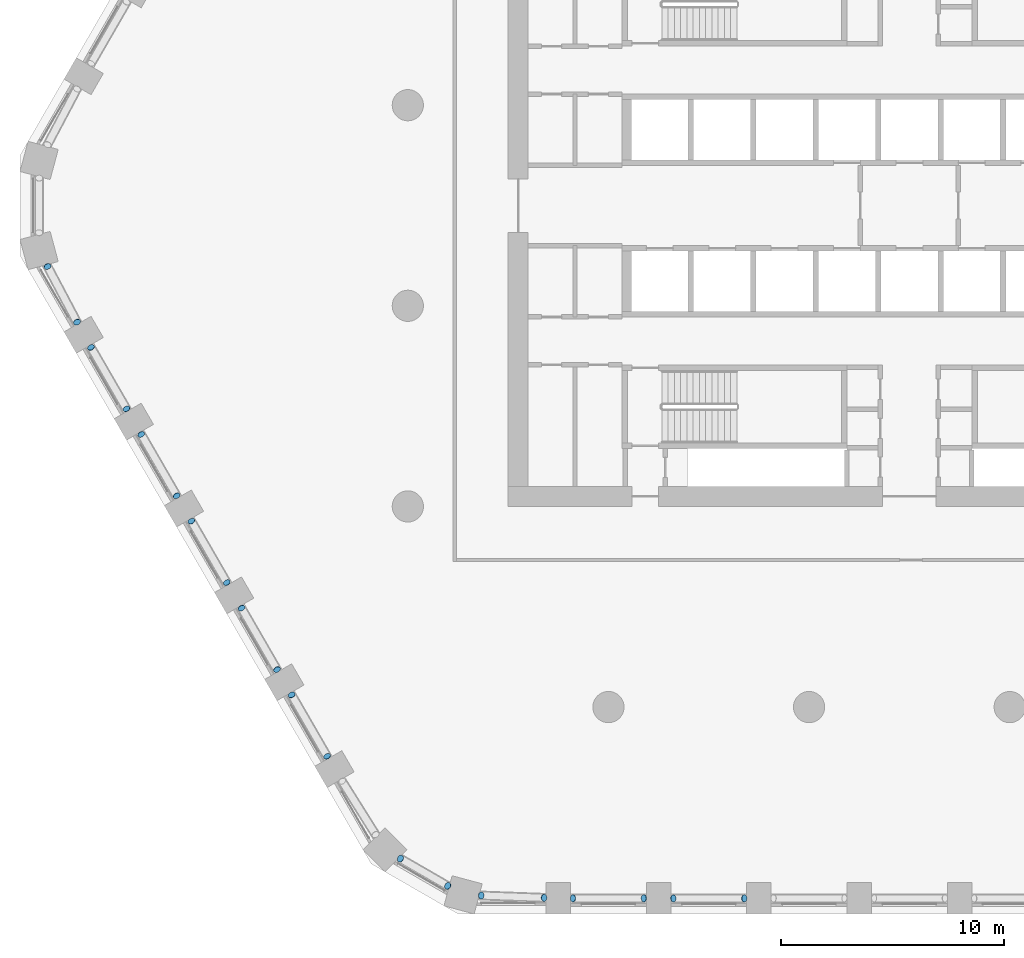
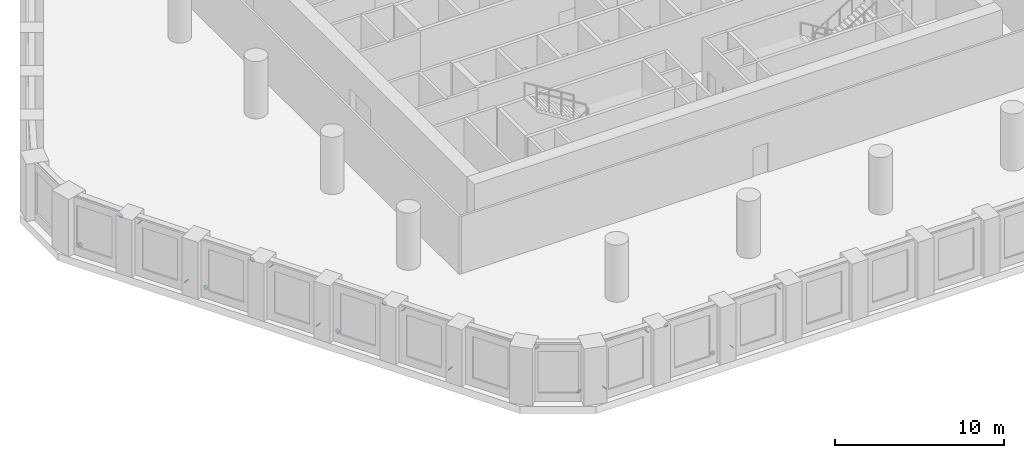
# One storey, part 10 of 18: 20 discrete accessories.
"""IFC4 building model written with IfcOpenShell, lengths in metres."""

from ifc_helpers import new_model, si_unit, direction, frame, origin, origin_2d, place, context, subcontext, project, spatial, circle, extrude, material, material_profile, profile_set, type_object, element, save


model = new_model("IFC4")

# Units and contexts
model_context = context("Model", 3, precision=1e-05, world=origin(), true_north=direction((0.0, 1.0)))
body_context = subcontext(model_context, "Body", "Model", "MODEL_VIEW")
ifc_project = project(units=[si_unit("LENGTHUNIT", "METRE"), si_unit("AREAUNIT", "SQUARE_METRE"), si_unit("VOLUMEUNIT", "CUBIC_METRE"), si_unit("PLANEANGLEUNIT", "RADIAN"), si_unit("MASSUNIT", "GRAM", prefix="KILO")], contexts=[model_context])

# Site, building, storey
site_placement = place(None, origin())
site = spatial("IfcSite", under=ifc_project, at=site_placement, CompositionType="ELEMENT")
building_placement = place(site_placement, origin())
building = spatial("IfcBuilding", under=site, at=building_placement, Name="Dhurran Vertical Campus", CompositionType="ELEMENT")
storey_placement = place(building_placement, frame((0.0, 0.0, 76.800048828125)))
storey = spatial("IfcBuildingStorey", under=building, at=storey_placement, Name="L18 Plant", CompositionType="ELEMENT", Elevation=76.800048828125)

# Discrete accessories
ifc_material = material(Name="Steel S355J2", Category="steel")
ifc_material_profile = material_profile(ifc_material, circle(Radius=0.161865234375, at=origin_2d()), Name="Tube end cap 324 x 20")
ifc_profile_set = profile_set([ifc_material_profile], Name="Steel S355J2")
discrete_accessory_type = type_object("IfcDiscreteAccessoryType", Name="Tube end cap 324 x 20", PredefinedType="USERDEFINED", material=ifc_profile_set)
for number, where, z_axis, x_axis, name in (
    (1, (-19.205810546875, -30.952392578125, 0.4951171875), (-0.669438681395, 0.024343224778, -0.742468355729), (-0.036339618107, -0.999339497946, 0.0), "EC1 belt L18 d00 capA"),
    (2, (-16.39697265625, -31.055908203125, 3.6298828125), (0.669438681395, -0.024343224778, 0.742468355729), (0.036339618107, 0.999339497946, 0.0), "EC1 belt L18 d00 capB"),
):
    element("IfcDiscreteAccessory", number, at=place(storey_placement, frame(where, z_axis=z_axis, x_axis=x_axis)), inside=storey, type_object=discrete_accessory_type, Name=name, ObjectType="END CAP", PredefinedType="USERDEFINED", context=body_context, shape_type="SweptSolid", body=[
        extrude(circle(Radius=0.161865234375, at=origin_2d()), origin(), (0.0, 0.0, 1.0), 0.02001953125),
    ])
discrete_accessory_1_placement = place(storey_placement, frame((-11.9169921875, -31.079833984375, 0.502197265625), z_axis=(0.713228571152, 0.0, -0.700931526822), x_axis=(0.0, 1.0, 0.0)))
element("IfcDiscreteAccessory", 3, at=discrete_accessory_1_placement, inside=storey, type_object=discrete_accessory_type, Name="EC1 belt L18 d01 capA", ObjectType="END CAP", PredefinedType="USERDEFINED", context=body_context, shape_type="SweptSolid", body=[
    extrude(circle(Radius=0.161865234375, at=origin_2d()), origin(), (0.0, 0.0, 1.0), 0.019775390625),
])
discrete_accessory_2_placement = place(storey_placement, frame((-15.0830078125, -31.079833984375, 3.62255859375), z_axis=(-0.707106781187, 0.0, 0.707106781187), x_axis=(0.0, -1.0, 0.0)))
element("IfcDiscreteAccessory", 4, at=discrete_accessory_2_placement, inside=storey, type_object=discrete_accessory_type, Name="EC1 belt L18 d01 capB", ObjectType="END CAP", PredefinedType="USERDEFINED", context=body_context, shape_type="SweptSolid", body=[
    extrude(circle(Radius=0.161865234375, at=origin_2d()), origin(), (0.0, 0.0, 1.0), 0.02001953125),
])
discrete_accessory_3_placement = place(storey_placement, frame((-10.5830078125, -31.079833984375, 0.502197265625), z_axis=(-0.713228571152, 0.0, -0.700931526822), x_axis=(0.0, -1.0, 0.0)))
element("IfcDiscreteAccessory", 5, at=discrete_accessory_3_placement, inside=storey, type_object=discrete_accessory_type, Name="EC1 belt L18 d02 capA", ObjectType="END CAP", PredefinedType="USERDEFINED", context=body_context, shape_type="SweptSolid", body=[
    extrude(circle(Radius=0.161865234375, at=origin_2d()), origin(), (0.0, 0.0, 1.0), 0.019775390625),
])
for number, where, z_axis, x_axis, name in (
    (6, (-7.4169921875, -31.079833984375, 3.62255859375), (0.707106781187, 0.0, 0.707106781187), (0.0, 1.0, 0.0), "EC1 belt L18 d02 capB"),
    (7, (-38.658447265625, -2.74072265625, 0.4951171875), (-0.317616853461, 0.586369575619, -0.74517800235), (-0.879291966537, -0.476283148541, 0.0), "EC1 belt L18 d44 capA"),
    (8, (-37.34375, -5.22509765625, 3.6298828125), (0.317616853461, -0.586369575619, 0.74517800235), (0.879291966537, 0.476283148541, 0.0), "EC1 belt L18 d44 capB"),
    (9, (-35.12451171875, -9.116455078125, 0.502197265625), (0.36514837167, -0.620752231839, -0.693781906173), (0.861934215158, 0.507020126563, 0.0), "EC1 belt L18 d45 capA"),
    (10, (-36.70751953125, -6.374755859375, 3.62255859375), (-0.351521607435, 0.618193171696, 0.70304321487), (-0.869290118928, -0.494302224488, 0.0), "EC1 belt L18 d45 capB"),
    (11, (-34.45751953125, -10.27197265625, 0.502197265625), (-0.354529585537, 0.623483064221, -0.696834012953), (-0.869290118928, -0.494302224488, 0.0), "EC1 belt L18 d46 capA"),
    (12, (-32.87451171875, -13.013671875, 3.62255859375), (0.364770287314, -0.607950478857, 0.705222555474), (0.857492925713, 0.514495755428, 0.0), "EC1 belt L18 d46 capB"),
    (13, (-30.62451171875, -16.910888671875, 0.502197265625), (0.367911267232, -0.613185445387, -0.699031407741), (0.857492925713, 0.514495755428, 0.0), "EC1 belt L18 d47 capA"),
    (14, (-32.20751953125, -14.1689453125, 3.62255859375), (-0.351521607435, 0.618193171696, 0.70304321487), (-0.869290118928, -0.494302224488, 0.0), "EC1 belt L18 d47 capB"),
    (15, (-29.95751953125, -18.066162109375, 0.502197265625), (-0.354529585537, 0.623483064221, -0.696834012953), (-0.869290118928, -0.494302224488, 0.0), "EC1 belt L18 d48 capA"),
):
    element("IfcDiscreteAccessory", number, at=place(storey_placement, frame(where, z_axis=z_axis, x_axis=x_axis)), inside=storey, type_object=discrete_accessory_type, Name=name, ObjectType="END CAP", PredefinedType="USERDEFINED", context=body_context, shape_type="SweptSolid", body=[
        extrude(circle(Radius=0.161865234375, at=origin_2d()), origin(), (0.0, 0.0, 1.0), 0.02001953125),
    ])
discrete_accessory_4_placement = place(storey_placement, frame((-28.37451171875, -20.807861328125, 3.62255859375), z_axis=(0.362077038074, -0.615530964726, 0.700015606943), x_axis=(0.861934215158, 0.507020126563, 0.0)))
element("IfcDiscreteAccessory", 16, at=discrete_accessory_4_placement, inside=storey, type_object=discrete_accessory_type, Name="EC1 belt L18 d48 capB", ObjectType="END CAP", PredefinedType="USERDEFINED", context=body_context, shape_type="SweptSolid", body=[
    extrude(circle(Radius=0.161865234375, at=origin_2d()), origin(), (0.0, 0.0, 1.0), 0.020263671875),
])
for number, where, z_axis, x_axis, name in (
    (17, (-26.12451171875, -24.705078125, 0.502197265625), (0.367911267232, -0.613185445387, -0.699031407741), (0.857492925713, 0.514495755428, 0.0), "EC1 belt L18 d49 capA"),
    (18, (-27.70751953125, -21.96337890625, 3.62255859375), (-0.351521607435, 0.618193171696, 0.70304321487), (-0.869290118928, -0.494302224488, 0.0), "EC1 belt L18 d49 capB"),
    (19, (-20.714111328125, -30.521728515625, 0.486083984375), (0.523379332727, -0.316461922114, -0.791154805285), (0.517419338909, 0.855731983581, 0.0), "EC1 belt L18 d51 capA"),
    (20, (-22.82568359375, -29.302978515625, 3.638916015625), (-0.523379332727, 0.316461922114, 0.791154805285), (-0.517419338909, -0.855731983581, 0.0), "EC1 belt L18 d51 capB"),
):
    element("IfcDiscreteAccessory", number, at=place(storey_placement, frame(where, z_axis=z_axis, x_axis=x_axis)), inside=storey, type_object=discrete_accessory_type, Name=name, ObjectType="END CAP", PredefinedType="USERDEFINED", context=body_context, shape_type="SweptSolid", body=[
        extrude(circle(Radius=0.161865234375, at=origin_2d()), origin(), (0.0, 0.0, 1.0), 0.02001953125),
    ])

save(model, "model.ifc")
